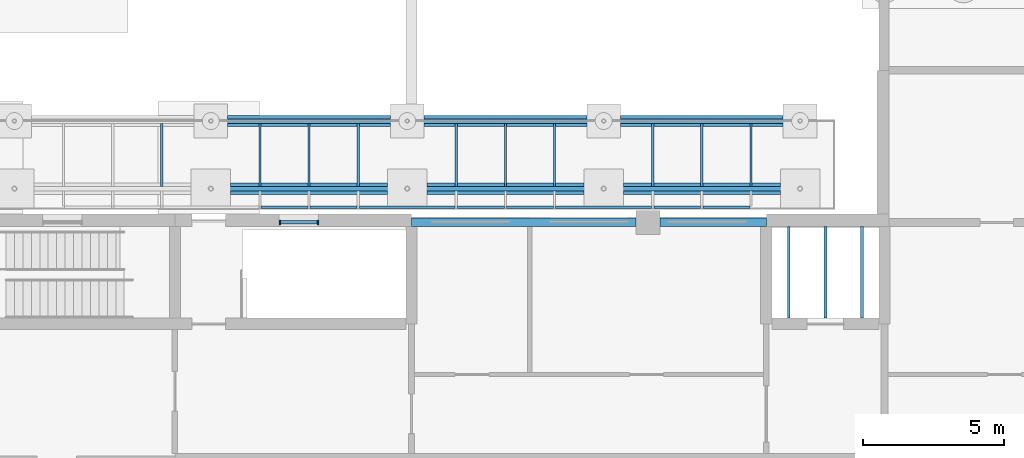
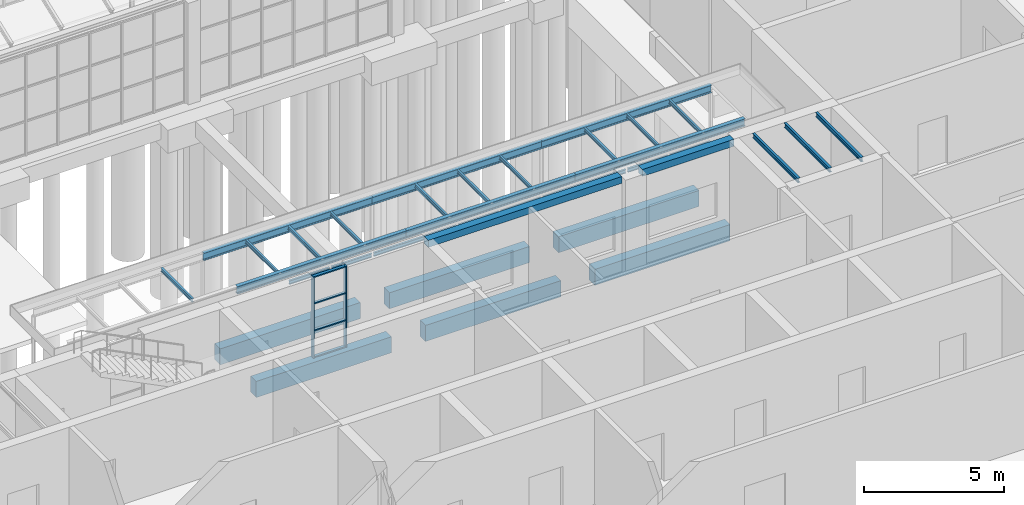
# One storey, part 62 of 138: 35 beams, 6 members, 1 element without a shape of its own.
"""IFC4 building model written with IfcOpenShell, lengths in metres."""

from ifc_helpers import new_model, si_unit, direction, frame, origin, origin_2d, place, context, subcontext, project, spatial, rectangle, i_section, extrude, material, material_profile, profile_set, type_object, element, aggregate, save


model = new_model("IFC4")

# Units and contexts
model_context = context("Model", 3, precision=1e-05, world=origin(), true_north=direction((0.0, 1.0)))
body_context = subcontext(model_context, "Body", "Model", "MODEL_VIEW")
ifc_project = project(units=[si_unit("LENGTHUNIT", "METRE"), si_unit("AREAUNIT", "SQUARE_METRE"), si_unit("VOLUMEUNIT", "CUBIC_METRE"), si_unit("PLANEANGLEUNIT", "RADIAN"), si_unit("MASSUNIT", "GRAM", prefix="KILO")], contexts=[model_context])

# Site, building, storey
site_placement = place(None, origin())
site = spatial("IfcSite", under=ifc_project, at=site_placement, CompositionType="ELEMENT")
building_placement = place(site_placement, origin())
building = spatial("IfcBuilding", under=site, at=building_placement, Name="Yavir Park General Hospital", CompositionType="ELEMENT")
storey_placement = place(building_placement, origin())
storey = spatial("IfcBuildingStorey", under=building, at=storey_placement, Name="L00", CompositionType="ELEMENT", Elevation=0.0)

# Beams
ifc_material_1 = material(Name="Steel S355", Category="steel")
ifc_material_profile_1 = material_profile(ifc_material_1, i_section(OverallWidth=0.08203125, OverallDepth=0.159912109375, WebThickness=0.0048828125, FlangeThickness=0.00732421875, FilletRadius=0.009033203125, at=origin_2d()), Name="IPE160")
ifc_profile_set_1 = profile_set([ifc_material_profile_1], Name="Steel S355")
beam_type_1 = type_object("IfcBeamType", Name="IPE 160 edge trimmer, up to 2 m span", PredefinedType="BEAM", material=ifc_profile_set_1)
for number, where, z_axis, x_axis, name in (
    (1, (120.659912109375, 34.14111328125, 3.77001953125), (1.0, 0.0, 0.0), (0.0, 1.0, 0.0), "B:ARC2:T5"),
    (2, (122.403564453125, 34.14111328125, 3.77001953125), (1.0, 0.0, 0.0), (0.0, 1.0, 0.0), "B:ARC2:T6"),
    (3, (127.634765625, 34.14111328125, 3.77001953125), (1.0, 0.0, 0.0), (0.0, 1.0, 0.0), "B:ARC2:T9"),
):
    element("IfcBeam", number, at=place(storey_placement, frame(where, z_axis=z_axis, x_axis=x_axis)), inside=storey, type_object=beam_type_1, Name=name, PredefinedType="BEAM", context=body_context, shape_type="SweptSolid", body=[
        extrude(i_section(OverallWidth=0.08203125, OverallDepth=0.159912109375, WebThickness=0.0048828125, FlangeThickness=0.00732421875, FilletRadius=0.009033203125, at=origin_2d()), origin(), (0.0, 0.0, 1.0), 1.66162109375),
    ])
for number, where, z_axis, x_axis, name in (
    (4, (129.37841796875, 34.14111328125, 3.77001953125), (1.0, 0.0, 0.0), (0.0, 1.0, 0.0), "B:ARC2:T10"),
    (5, (134.609619140625, 34.14111328125, 3.77001953125), (1.0, 0.0, 0.0), (0.0, 1.0, 0.0), "B:ARC2:T13"),
    (6, (136.353515625, 34.14111328125, 3.77001953125), (1.0, 0.0, 0.0), (0.0, 1.0, 0.0), "B:ARC2:T14"),
):
    element("IfcBeam", number, at=place(storey_placement, frame(where, z_axis=z_axis, x_axis=x_axis)), inside=storey, type_object=beam_type_1, Name=name, PredefinedType="BEAM", context=body_context, shape_type="SweptSolid", body=[
        extrude(i_section(OverallWidth=0.08203125, OverallDepth=0.159912109375, WebThickness=0.0048828125, FlangeThickness=0.00732421875, FilletRadius=0.009033203125, at=origin_2d()), origin(), (0.0, 0.0, 1.0), 1.661865234375),
    ])
ifc_material_2 = material(Name="Steel S355", Category="steel")
ifc_material_profile_2 = material_profile(ifc_material_2, i_section(OverallWidth=0.08203125, OverallDepth=0.159912109375, WebThickness=0.0048828125, FlangeThickness=0.00732421875, FilletRadius=0.009033203125, at=origin_2d()), Name="IPE160")
ifc_profile_set_2 = profile_set([ifc_material_profile_2], Name="Steel S355")
beam_type_2 = type_object("IfcBeamType", Name="IPE 160 edge trimmer, up to 3.5 m span", PredefinedType="BEAM", material=ifc_profile_set_2)
beam_1_placement = place(storey_placement, frame((124.147216796875, 34.14111328125, 3.77001953125), z_axis=(1.0, 0.0, 0.0), x_axis=(0.0, 1.0, 0.0)))
element("IfcBeam", 7, at=beam_1_placement, inside=storey, type_object=beam_type_2, Name="B:ARC2:T7", PredefinedType="BEAM", context=body_context, shape_type="SweptSolid", body=[
    extrude(i_section(OverallWidth=0.08203125, OverallDepth=0.159912109375, WebThickness=0.0048828125, FlangeThickness=0.00732421875, FilletRadius=0.009033203125, at=origin_2d()), origin(), (0.0, 0.0, 1.0), 3.405517578125),
])
beam_2_placement = place(storey_placement, frame((131.122314453125, 34.14111328125, 3.77001953125), z_axis=(1.0, 0.0, 0.0), x_axis=(0.0, 1.0, 0.0)))
element("IfcBeam", 8, at=beam_2_placement, inside=storey, type_object=beam_type_2, Name="B:ARC2:T11", PredefinedType="BEAM", context=body_context, shape_type="SweptSolid", body=[
    extrude(i_section(OverallWidth=0.08203125, OverallDepth=0.159912109375, WebThickness=0.0048828125, FlangeThickness=0.00732421875, FilletRadius=0.009033203125, at=origin_2d()), origin(), (0.0, 0.0, 1.0), 3.4052734375),
])
ifc_material_3 = material(Name="Steel S355", Category="steel")
ifc_material_profile_3 = material_profile(ifc_material_3, i_section(OverallWidth=0.08203125, OverallDepth=0.159912109375, WebThickness=0.0048828125, FlangeThickness=0.00732421875, FilletRadius=0.009033203125, at=origin_2d()), Name="IPE160")
ifc_profile_set_3 = profile_set([ifc_material_profile_3], Name="Steel S355")
beam_type_3 = type_object("IfcBeamType", Name="IPE 160 secondary beam, up to 2.5 m span", PredefinedType="JOIST", material=ifc_profile_set_3)
for number, where, z_axis, x_axis, name in (
    (9, (117.131103515625, 34.8798828125, 3.77001953125), (0.0, 1.0, 0.0), (-1.0, 0.0, 0.0), "B:ARC2:J3-1"),
    (10, (120.618896484375, 34.8798828125, 3.77001953125), (0.0, 1.0, 0.0), (-1.0, 0.0, 0.0), "B:ARC2:J5-1"),
    (11, (122.362548828125, 34.8798828125, 3.77001953125), (0.0, 1.0, 0.0), (-1.0, 0.0, 0.0), "B:ARC2:J6-1"),
    (12, (124.106201171875, 34.8798828125, 3.77001953125), (0.0, 1.0, 0.0), (-1.0, 0.0, 0.0), "B:ARC2:J7-1"),
    (13, (127.59375, 34.8798828125, 3.77001953125), (0.0, 1.0, 0.0), (-1.0, 0.0, 0.0), "B:ARC2:J9-1"),
    (14, (129.33740234375, 34.8798828125, 3.77001953125), (0.0, 1.0, 0.0), (-1.0, 0.0, 0.0), "B:ARC2:J10-1"),
    (15, (131.081298828125, 34.8798828125, 3.77001953125), (0.0, 1.0, 0.0), (-1.0, 0.0, 0.0), "B:ARC2:J11-1"),
    (16, (134.568603515625, 34.8798828125, 3.77001953125), (0.0, 1.0, 0.0), (-1.0, 0.0, 0.0), "B:ARC2:J13-1"),
    (17, (136.3125, 34.8798828125, 3.77001953125), (0.0, 1.0, 0.0), (-1.0, 0.0, 0.0), "B:ARC2:J14-1"),
    (18, (138.056396484375, 34.8798828125, 3.77001953125), (0.0, 1.0, 0.0), (-1.0, 0.0, 0.0), "B:ARC2:J15-1"),
):
    element("IfcBeam", number, at=place(storey_placement, frame(where, z_axis=z_axis, x_axis=x_axis)), inside=storey, type_object=beam_type_3, Name=name, PredefinedType="JOIST", context=body_context, shape_type="SweptSolid", body=[
        extrude(i_section(OverallWidth=0.08203125, OverallDepth=0.159912109375, WebThickness=0.0048828125, FlangeThickness=0.00732421875, FilletRadius=0.009033203125, at=origin_2d()), origin(), (0.0, 0.0, 1.0), 2.240234375),
    ])
ifc_material_4 = material(Name="Steel S355", Category="steel")
ifc_material_profile_4 = material_profile(ifc_material_4, i_section(OverallWidth=0.10009765625, OverallDepth=0.199951171875, WebThickness=0.005615234375, FlangeThickness=0.008544921875, FilletRadius=0.011962890625, at=origin_2d()), Name="IPE200")
ifc_profile_set_4 = profile_set([ifc_material_profile_4], Name="Steel S355")
beam_type_4 = type_object("IfcBeamType", Name="IPE 200 lift hoist beam", PredefinedType="BEAM", material=ifc_profile_set_4)
beam_3_placement = place(storey_placement, frame((140.699951171875, 30.199951171875, 4.0400390625), z_axis=(0.0, 1.0, 0.0), x_axis=(-1.0, 0.0, 0.0)))
element("IfcBeam", 19, at=beam_3_placement, inside=storey, type_object=beam_type_4, Name="B:HOIST:FL5", PredefinedType="BEAM", context=body_context, shape_type="SweptSolid", body=[
    extrude(i_section(OverallWidth=0.10009765625, OverallDepth=0.199951171875, WebThickness=0.005615234375, FlangeThickness=0.008544921875, FilletRadius=0.011962890625, at=origin_2d()), origin(), (0.0, 0.0, 1.0), 3.25),
])
ifc_material_5 = material(Name="Steel S355", Category="steel")
ifc_material_profile_5 = material_profile(ifc_material_5, i_section(OverallWidth=0.10009765625, OverallDepth=0.199951171875, WebThickness=0.005615234375, FlangeThickness=0.008544921875, FilletRadius=0.011962890625, at=origin_2d()), Name="IPE200")
ifc_profile_set_5 = profile_set([ifc_material_profile_5], Name="Steel S355")
beam_type_5 = type_object("IfcBeamType", Name="IPE 200 lift machine beam", PredefinedType="BEAM", material=ifc_profile_set_5)
for number, where, z_axis, x_axis, name in (
    (20, (139.39990234375, 30.199951171875, 4.0400390625), (0.0, 1.0, 0.0), (-1.0, 0.0, 0.0), "B:MACH:FL5:0"),
    (21, (142.0, 30.199951171875, 4.0400390625), (0.0, 1.0, 0.0), (-1.0, 0.0, 0.0), "B:MACH:FL5:1"),
):
    element("IfcBeam", number, at=place(storey_placement, frame(where, z_axis=z_axis, x_axis=x_axis)), inside=storey, type_object=beam_type_5, Name=name, PredefinedType="BEAM", context=body_context, shape_type="SweptSolid", body=[
        extrude(i_section(OverallWidth=0.10009765625, OverallDepth=0.199951171875, WebThickness=0.005615234375, FlangeThickness=0.008544921875, FilletRadius=0.011962890625, at=origin_2d()), origin(), (0.0, 0.0, 1.0), 3.25),
    ])
ifc_material_6 = material(Name="Steel S355", Category="steel")
ifc_material_profile_6 = material_profile(ifc_material_6, i_section(OverallWidth=0.159912109375, OverallDepth=0.330078125, WebThickness=0.007568359375, FlangeThickness=0.011474609375, FilletRadius=0.01806640625, at=origin_2d()), Name="IPE330")
ifc_profile_set_6 = profile_set([ifc_material_profile_6], Name="Steel S355")
beam_type_6 = type_object("IfcBeamType", Name="IPE 330 main beam, inner row, up to 7 m span", PredefinedType="BEAM", material=ifc_profile_set_6)
beam_4_placement = place(storey_placement, frame((118.875, 34.800048828125, 3.68505859375), z_axis=(1.0, 0.0, 0.0), x_axis=(0.0, 1.0, 0.0)))
element("IfcBeam", 22, at=beam_4_placement, inside=storey, type_object=beam_type_6, Name="B:ARC2:M01", PredefinedType="BEAM", context=body_context, shape_type="SweptSolid", body=[
    extrude(i_section(OverallWidth=0.159912109375, OverallDepth=0.330078125, WebThickness=0.007568359375, FlangeThickness=0.011474609375, FilletRadius=0.01806640625, at=origin_2d()), origin(), (0.0, 0.0, 1.0), 6.97509765625),
])
beam_5_placement = place(storey_placement, frame((125.85009765625, 34.800048828125, 3.68505859375), z_axis=(1.0, 0.0, 0.0), x_axis=(0.0, 1.0, 0.0)))
element("IfcBeam", 23, at=beam_5_placement, inside=storey, type_object=beam_type_6, Name="B:ARC2:M02", PredefinedType="BEAM", context=body_context, shape_type="SweptSolid", body=[
    extrude(i_section(OverallWidth=0.159912109375, OverallDepth=0.330078125, WebThickness=0.007568359375, FlangeThickness=0.011474609375, FilletRadius=0.01806640625, at=origin_2d()), origin(), (0.0, 0.0, 1.0), 6.974853515625),
])
beam_6_placement = place(storey_placement, frame((132.824951171875, 34.800048828125, 3.68505859375), z_axis=(1.0, 0.0, 0.0), x_axis=(0.0, 1.0, 0.0)))
element("IfcBeam", 24, at=beam_6_placement, inside=storey, type_object=beam_type_6, Name="B:ARC2:M03", PredefinedType="BEAM", context=body_context, shape_type="SweptSolid", body=[
    extrude(i_section(OverallWidth=0.159912109375, OverallDepth=0.330078125, WebThickness=0.007568359375, FlangeThickness=0.011474609375, FilletRadius=0.01806640625, at=origin_2d()), origin(), (0.0, 0.0, 1.0), 6.97509765625),
])
ifc_material_7 = material(Name="Steel S355", Category="steel")
ifc_material_profile_7 = material_profile(ifc_material_7, i_section(OverallWidth=0.159912109375, OverallDepth=0.330078125, WebThickness=0.007568359375, FlangeThickness=0.011474609375, FilletRadius=0.01806640625, at=origin_2d()), Name="IPE330")
ifc_profile_set_7 = profile_set([ifc_material_profile_7], Name="Steel S355")
beam_type_7 = type_object("IfcBeamType", Name="IPE 330 main beam, outer row, up to 7 m span", PredefinedType="BEAM", material=ifc_profile_set_7)
beam_7_placement = place(storey_placement, frame((118.875, 37.199951171875, 3.68505859375), z_axis=(1.0, 0.0, 0.0), x_axis=(0.0, 1.0, 0.0)))
element("IfcBeam", 25, at=beam_7_placement, inside=storey, type_object=beam_type_7, Name="B:ARC2:M11", PredefinedType="BEAM", context=body_context, shape_type="SweptSolid", body=[
    extrude(i_section(OverallWidth=0.159912109375, OverallDepth=0.330078125, WebThickness=0.007568359375, FlangeThickness=0.011474609375, FilletRadius=0.01806640625, at=origin_2d()), origin(), (0.0, 0.0, 1.0), 6.97509765625),
])
beam_8_placement = place(storey_placement, frame((125.85009765625, 37.199951171875, 3.68505859375), z_axis=(1.0, 0.0, 0.0), x_axis=(0.0, 1.0, 0.0)))
element("IfcBeam", 26, at=beam_8_placement, inside=storey, type_object=beam_type_7, Name="B:ARC2:M12", PredefinedType="BEAM", context=body_context, shape_type="SweptSolid", body=[
    extrude(i_section(OverallWidth=0.159912109375, OverallDepth=0.330078125, WebThickness=0.007568359375, FlangeThickness=0.011474609375, FilletRadius=0.01806640625, at=origin_2d()), origin(), (0.0, 0.0, 1.0), 6.974853515625),
])
beam_9_placement = place(storey_placement, frame((132.824951171875, 37.199951171875, 3.68505859375), z_axis=(1.0, 0.0, 0.0), x_axis=(0.0, 1.0, 0.0)))
element("IfcBeam", 27, at=beam_9_placement, inside=storey, type_object=beam_type_7, Name="B:ARC2:M13", PredefinedType="BEAM", context=body_context, shape_type="SweptSolid", body=[
    extrude(i_section(OverallWidth=0.159912109375, OverallDepth=0.330078125, WebThickness=0.007568359375, FlangeThickness=0.011474609375, FilletRadius=0.01806640625, at=origin_2d()), origin(), (0.0, 0.0, 1.0), 6.97509765625),
])
ifc_material_8 = material(Name="Concrete C35/45", Category="concrete")
ifc_material_profile_8 = material_profile(ifc_material_8, rectangle(XDim=0.300048828125, YDim=0.300048828125, at=origin_2d()), Name="RC300x300")
ifc_profile_set_8 = profile_set([ifc_material_profile_8], Name="Concrete C35/45")
beam_type_8 = type_object("IfcBeamType", Name="RC BEAM 300x300 edge beam", PredefinedType="BEAM", material=ifc_profile_set_8)
beam_10_placement = place(storey_placement, frame((126.0, 33.60009765625, 3.989990234375), z_axis=(1.0, 0.0, 0.0), x_axis=(0.0, 1.0, 0.0)))
element("IfcBeam", 28, at=beam_10_placement, inside=storey, type_object=beam_type_8, Name="B:EDGE:L00:017", PredefinedType="BEAM", context=body_context, shape_type="SweptSolid", body=[
    extrude(rectangle(XDim=0.300048828125, YDim=0.300048828125, at=origin_2d()), origin(), (0.0, 0.0, 1.0), 7.97509765625),
])
beam_11_placement = place(storey_placement, frame((134.824951171875, 33.60009765625, 3.989990234375), z_axis=(1.0, 0.0, 0.0), x_axis=(0.0, 1.0, 0.0)))
element("IfcBeam", 29, at=beam_11_placement, inside=storey, type_object=beam_type_8, Name="B:EDGE:L00:018", PredefinedType="BEAM", context=body_context, shape_type="SweptSolid", body=[
    extrude(rectangle(XDim=0.300048828125, YDim=0.300048828125, at=origin_2d()), origin(), (0.0, 0.0, 1.0), 3.775146484375),
])
ifc_material_9 = material(Name="Concrete C35/45", Category="concrete")
ifc_material_profile_9 = material_profile(ifc_material_9, rectangle(XDim=0.39990234375, YDim=0.699951171875, at=origin_2d()), Name="RC400x700")
ifc_profile_set_9 = profile_set([ifc_material_profile_9], Name="Concrete C35/45")
beam_type_9 = type_object("IfcBeamType", Name="RC BEAM 400x700 ground beam", PredefinedType="BEAM", material=ifc_profile_set_9)
for number, where, z_axis, x_axis, name in (
    (30, (119.574951171875, 34.800048828125, -0.800048828125), (1.0, 0.0, 0.0), (0.0, 1.0, 0.0), "B:GND:ARC2:C01:ARC2:C02"),
    (31, (126.550048828125, 34.800048828125, -0.800048828125), (1.0, 0.0, 0.0), (0.0, 1.0, 0.0), "B:GND:ARC2:C02:ARC2:C03"),
):
    element("IfcBeam", number, at=place(storey_placement, frame(where, z_axis=z_axis, x_axis=x_axis)), inside=storey, type_object=beam_type_9, Name=name, PredefinedType="BEAM", context=body_context, shape_type="SweptSolid", body=[
        extrude(rectangle(XDim=0.39990234375, YDim=0.699951171875, at=origin_2d()), origin(), (0.0, 0.0, 1.0), 5.574951171875),
    ])
beam_12_placement = place(storey_placement, frame((133.52490234375, 34.800048828125, -0.800048828125), z_axis=(1.0, 0.0, 0.0), x_axis=(0.0, 1.0, 0.0)))
element("IfcBeam", 32, at=beam_12_placement, inside=storey, type_object=beam_type_9, Name="B:GND:ARC2:C03:ARC2:C04", PredefinedType="BEAM", context=body_context, shape_type="SweptSolid", body=[
    extrude(rectangle(XDim=0.39990234375, YDim=0.699951171875, at=origin_2d()), origin(), (0.0, 0.0, 1.0), 5.5751953125),
])
beam_13_placement = place(storey_placement, frame((119.47509765625, 37.199951171875, -0.800048828125), z_axis=(1.0, 0.0, 0.0), x_axis=(0.0, 1.0, 0.0)))
element("IfcBeam", 33, at=beam_13_placement, inside=storey, type_object=beam_type_9, Name="B:GND:ARC2:C11:ARC2:C12", PredefinedType="BEAM", context=body_context, shape_type="SweptSolid", body=[
    extrude(rectangle(XDim=0.39990234375, YDim=0.699951171875, at=origin_2d()), origin(), (0.0, 0.0, 1.0), 5.77490234375),
])
beam_14_placement = place(storey_placement, frame((126.449951171875, 37.199951171875, -0.800048828125), z_axis=(1.0, 0.0, 0.0), x_axis=(0.0, 1.0, 0.0)))
element("IfcBeam", 34, at=beam_14_placement, inside=storey, type_object=beam_type_9, Name="B:GND:ARC2:C12:ARC2:C13", PredefinedType="BEAM", context=body_context, shape_type="SweptSolid", body=[
    extrude(rectangle(XDim=0.39990234375, YDim=0.699951171875, at=origin_2d()), origin(), (0.0, 0.0, 1.0), 5.775146484375),
])
beam_15_placement = place(storey_placement, frame((133.425048828125, 37.199951171875, -0.800048828125), z_axis=(1.0, 0.0, 0.0), x_axis=(0.0, 1.0, 0.0)))
element("IfcBeam", 35, at=beam_15_placement, inside=storey, type_object=beam_type_9, Name="B:GND:ARC2:C13:ARC2:C14", PredefinedType="BEAM", context=body_context, shape_type="SweptSolid", body=[
    extrude(rectangle(XDim=0.39990234375, YDim=0.699951171875, at=origin_2d()), origin(), (0.0, 0.0, 1.0), 5.77490234375),
])

# Curtain wall, members
ifc_material_10 = material(Name="Aluminium curtain wall frame with insulated glazing", Category="aluminium")
curtain_wall_type = type_object("IfcCurtainWallType", Name="Stair light slot, ground floor, 3540 high, 1400 module", PredefinedType="NOTDEFINED", material=ifc_material_10)
curtain_wall_placement = place(storey_placement, origin())
curtain_wall = element("IfcCurtainWall", 36, at=curtain_wall_placement, inside=storey, type_object=curtain_wall_type, Name="CW19 L00-010", PredefinedType="NOTDEFINED")
ifc_material_11 = material(Name="Aluminium", Category="aluminium")
ifc_material_profile_10 = material_profile(ifc_material_11, rectangle(XDim=0.159912109375, YDim=0.050048828125, at=origin_2d()), Name="AL 50x160")
ifc_profile_set_10 = profile_set([ifc_material_profile_10], Name="Aluminium")
member_type_1 = type_object("IfcMemberType", Name="Stair light slot, ground floor, 3540 high mullion 50 x 160", PredefinedType="MULLION", material=ifc_profile_set_10)
member_1_placement = place(storey_placement, frame((121.324951171875, 33.60009765625, 0.60009765625), z_axis=(0.0, 0.0, 1.0), x_axis=(0.0, 1.0, 0.0)))
member_1 = element("IfcMember", 37, at=member_1_placement, type_object=member_type_1, Name="CW19 mullion 1", PredefinedType="MULLION", context=body_context, shape_type="SweptSolid", body=[
    extrude(rectangle(XDim=0.159912109375, YDim=0.050048828125, at=origin_2d()), origin(), (0.0, 0.0, 1.0), 3.539794921875),
])
member_2_placement = place(storey_placement, frame((122.675048828125, 33.60009765625, 0.60009765625), z_axis=(0.0, 0.0, 1.0), x_axis=(0.0, 1.0, 0.0)))
member_2 = element("IfcMember", 38, at=member_2_placement, type_object=member_type_1, Name="CW19 mullion 2", PredefinedType="MULLION", context=body_context, shape_type="SweptSolid", body=[
    extrude(rectangle(XDim=0.159912109375, YDim=0.050048828125, at=origin_2d()), origin(), (0.0, 0.0, 1.0), 3.539794921875),
])
ifc_material_12 = material(Name="Aluminium", Category="aluminium")
ifc_material_profile_11 = material_profile(ifc_material_12, rectangle(XDim=0.1201171875, YDim=0.050048828125, at=origin_2d()), Name="AL 120x50")
ifc_profile_set_11 = profile_set([ifc_material_profile_11], Name="Aluminium")
member_type_2 = type_object("IfcMemberType", Name="Stair light slot, ground floor, 3540 high transom 50 x 120", PredefinedType="MULLION", material=ifc_profile_set_11)
member_3_placement = place(storey_placement, frame((121.35009765625, 33.60009765625, 0.625), z_axis=(1.0, 0.0, 0.0), x_axis=(0.0, 1.0, 0.0)))
member_3 = element("IfcMember", 39, at=member_3_placement, type_object=member_type_2, Name="CW19 transom 1.1", PredefinedType="MULLION", context=body_context, shape_type="SweptSolid", body=[
    extrude(rectangle(XDim=0.1201171875, YDim=0.050048828125, at=origin_2d()), origin(), (0.0, 0.0, 1.0), 1.2998046875),
])
member_4_placement = place(storey_placement, frame((121.35009765625, 33.60009765625, 1.780029296875), z_axis=(1.0, 0.0, 0.0), x_axis=(0.0, 1.0, 0.0)))
member_4 = element("IfcMember", 40, at=member_4_placement, type_object=member_type_2, Name="CW19 transom 1.2", PredefinedType="MULLION", context=body_context, shape_type="SweptSolid", body=[
    extrude(rectangle(XDim=0.1201171875, YDim=0.050048828125, at=origin_2d()), origin(), (0.0, 0.0, 1.0), 1.2998046875),
])
member_5_placement = place(storey_placement, frame((121.35009765625, 33.60009765625, 2.9599609375), z_axis=(1.0, 0.0, 0.0), x_axis=(0.0, 1.0, 0.0)))
member_5 = element("IfcMember", 41, at=member_5_placement, type_object=member_type_2, Name="CW19 transom 1.3", PredefinedType="MULLION", context=body_context, shape_type="SweptSolid", body=[
    extrude(rectangle(XDim=0.1201171875, YDim=0.050048828125, at=origin_2d()), origin(), (0.0, 0.0, 1.0), 1.2998046875),
])
member_6_placement = place(storey_placement, frame((121.35009765625, 33.60009765625, 4.114990234375), z_axis=(1.0, 0.0, 0.0), x_axis=(0.0, 1.0, 0.0)))
member_6 = element("IfcMember", 42, at=member_6_placement, type_object=member_type_2, Name="CW19 transom 1.4", PredefinedType="MULLION", context=body_context, shape_type="SweptSolid", body=[
    extrude(rectangle(XDim=0.1201171875, YDim=0.050048828125, at=origin_2d()), origin(), (0.0, 0.0, 1.0), 1.2998046875),
])
aggregate(curtain_wall, [member_1, member_2, member_3, member_4, member_5, member_6])

save(model, "model.ifc")
